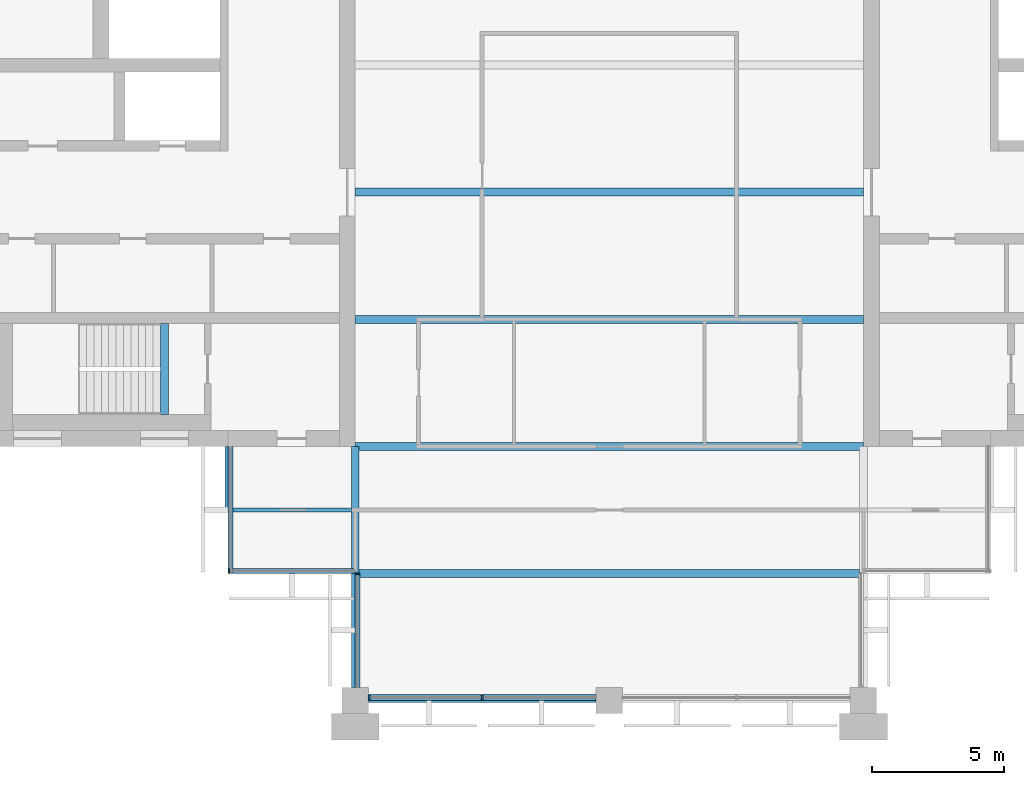
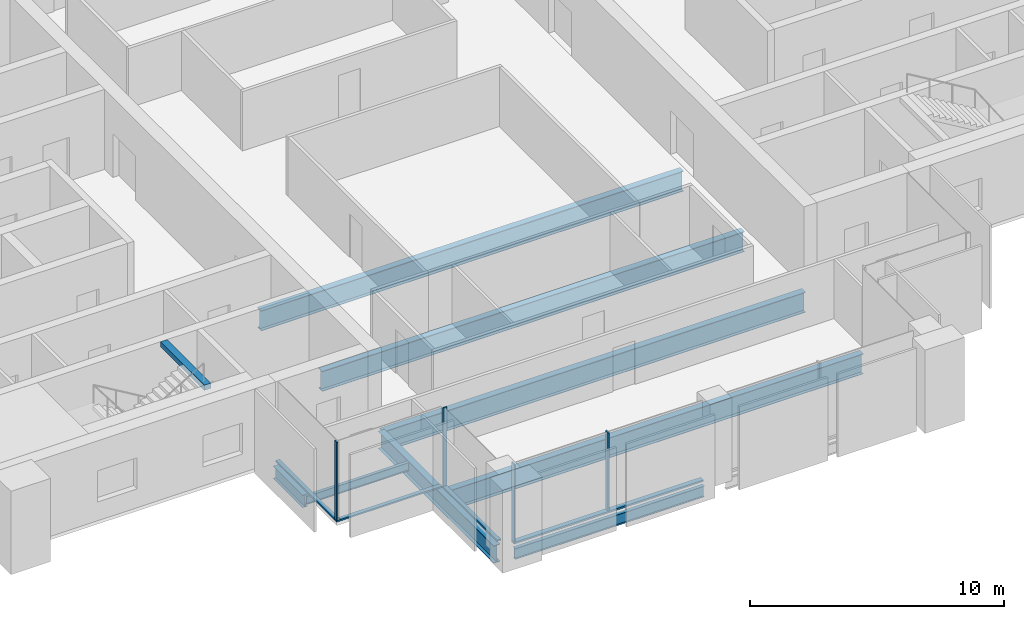
# One storey, part 2 of 12: 9 beams, 8 members, 4 elements without a shape of their own.
"""IFC4 building model written with IfcOpenShell, lengths in metres."""

from ifc_helpers import new_model, si_unit, direction, frame, origin, origin_2d, place, context, subcontext, project, spatial, rectangle, i_section, extrude, material, material_profile, profile_set, type_object, element, aggregate, save


model = new_model("IFC4")

# Units and contexts
model_context = context("Model", 3, precision=1e-05, world=origin(), true_north=direction((0.0, 1.0)))
body_context = subcontext(model_context, "Body", "Model", "MODEL_VIEW")
ifc_project = project(units=[si_unit("LENGTHUNIT", "METRE"), si_unit("AREAUNIT", "SQUARE_METRE"), si_unit("VOLUMEUNIT", "CUBIC_METRE"), si_unit("PLANEANGLEUNIT", "RADIAN"), si_unit("MASSUNIT", "GRAM", prefix="KILO")], contexts=[model_context])

# Site, building, storey
site_placement = place(None, origin())
site = spatial("IfcSite", under=ifc_project, at=site_placement, CompositionType="ELEMENT")
building_placement = place(site_placement, origin())
building = spatial("IfcBuilding", under=site, at=building_placement, Name="Baori Bourse Tower", CompositionType="ELEMENT")
storey_placement = place(building_placement, frame((0.0, 0.0, 286.300048828125)))
storey = spatial("IfcBuildingStorey", under=building, at=storey_placement, Name="L62", CompositionType="ELEMENT", Elevation=286.300048828125)

# Curtain wall, member
ifc_material_1 = material(Name="Pale anodised aluminium", Category="aluminium")
curtain_wall_type_1 = type_object("IfcCurtainWallType", Name="CW2 Curtain wall", PredefinedType="NOTDEFINED", material=ifc_material_1)
curtain_wall_1_placement = place(storey_placement, origin())
curtain_wall_1 = element("IfcCurtainWall", 1, at=curtain_wall_1_placement, inside=storey, type_object=curtain_wall_type_1, Name="Curtain wall CW2 L62 9", PredefinedType="NOTDEFINED")
ifc_material_2 = material(Name="Pale anodised aluminium", Category="aluminium")
ifc_material_profile_1 = material_profile(ifc_material_2, rectangle(XDim=0.179931640625, YDim=0.054931640625, at=origin_2d()), Name="Mullion 55x180")
ifc_profile_set_1 = profile_set([ifc_material_profile_1], Name="Pale anodised aluminium")
member_type_1 = type_object("IfcMemberType", Name="CW2 Curtain wall mullion", PredefinedType="MULLION", material=ifc_profile_set_1)
member_1_placement = place(storey_placement, frame((14.427490234375, 4.889892578125, 0.070068359375), z_axis=(0.0, 0.0, 1.0), x_axis=(0.0, 1.0, 0.0)))
member_1 = element("IfcMember", 2, at=member_1_placement, type_object=member_type_1, Name="Curtain wall CW2 mullion", PredefinedType="MULLION", context=body_context, shape_type="SweptSolid", body=[
    extrude(rectangle(XDim=0.179931640625, YDim=0.054931640625, at=origin_2d()), origin(), (0.0, 0.0, 1.0), 3.769775390625),
])

curtain_wall_2_placement = place(storey_placement, origin())
curtain_wall_2 = element("IfcCurtainWall", 3, at=curtain_wall_2_placement, inside=storey, type_object=curtain_wall_type_1, Name="Curtain wall CW2 L62 10", PredefinedType="NOTDEFINED")
member_2_placement = place(storey_placement, frame((19.2900390625, 4.7724609375, 0.070068359375), z_axis=(0.0, 0.0, 1.0), x_axis=(1.0, 0.0, 0.0)))
member_2 = element("IfcMember", 4, at=member_2_placement, type_object=member_type_1, Name="Curtain wall CW2 mullion", PredefinedType="MULLION", context=body_context, shape_type="SweptSolid", body=[
    extrude(rectangle(XDim=0.179931640625, YDim=0.054931640625, at=origin_2d()), origin(), (0.0, 0.0, 1.0), 3.769775390625),
])

curtain_wall_3_placement = place(storey_placement, origin())
curtain_wall_3 = element("IfcCurtainWall", 5, at=curtain_wall_3_placement, inside=storey, type_object=curtain_wall_type_1, Name="Curtain wall CW2 L62 8", PredefinedType="NOTDEFINED")
ifc_material_3 = material(Name="Pale anodised aluminium", Category="aluminium")
ifc_material_profile_2 = material_profile(ifc_material_3, rectangle(XDim=0.179931640625, YDim=0.070068359375, at=origin_2d()), Name="Transom 70x180")
ifc_profile_set_2 = profile_set([ifc_material_profile_2], Name="Pale anodised aluminium")
member_type_2 = type_object("IfcMemberType", Name="CW2 Curtain wall transom", PredefinedType="USERDEFINED", material=ifc_profile_set_2)
member_3_placement = place(storey_placement, frame((14.489990234375, 9.60009765625, 0.034912109375), z_axis=(0.0, -1.0, 0.0), x_axis=(1.0, 0.0, 0.0)))
member_3 = element("IfcMember", 6, at=member_3_placement, type_object=member_type_2, Name="Curtain wall CW2 sill rail", ObjectType="TRANSOM", PredefinedType="USERDEFINED", context=body_context, shape_type="SweptSolid", body=[
    extrude(rectangle(XDim=0.179931640625, YDim=0.070068359375, at=origin_2d()), origin(), (0.0, 0.0, 1.0), 4.800048828125),
])
aggregate(curtain_wall_3, [member_3])

# Member
member_4_placement = place(storey_placement, frame((14.39990234375, 4.889892578125, 0.034912109375), z_axis=(1.0, 0.0, 0.0), x_axis=(0.0, 1.0, 0.0)))
member_4 = element("IfcMember", 7, at=member_4_placement, type_object=member_type_2, Name="Curtain wall CW2 sill rail", ObjectType="TRANSOM", PredefinedType="USERDEFINED", context=body_context, shape_type="SweptSolid", body=[
    extrude(rectangle(XDim=0.179931640625, YDim=0.070068359375, at=origin_2d()), origin(), (0.0, 0.0, 1.0), 4.800048828125),
])

aggregate(curtain_wall_1, [member_4, member_1])

member_5_placement = place(storey_placement, frame((19.2900390625, 4.800048828125, 0.034912109375), z_axis=(0.0, -1.0, 0.0), x_axis=(1.0, 0.0, 0.0)))
member_5 = element("IfcMember", 8, at=member_5_placement, type_object=member_type_2, Name="Curtain wall CW2 sill rail", ObjectType="TRANSOM", PredefinedType="USERDEFINED", context=body_context, shape_type="SweptSolid", body=[
    extrude(rectangle(XDim=0.179931640625, YDim=0.070068359375, at=origin_2d()), origin(), (0.0, 0.0, 1.0), 4.300048828125),
])

aggregate(curtain_wall_2, [member_5, member_2])

# Curtain wall, members
ifc_material_4 = material(Name="Pale anodised aluminium", Category="aluminium")
curtain_wall_type_2 = type_object("IfcCurtainWallType", Name="CW5 Curtain wall", PredefinedType="NOTDEFINED", material=ifc_material_4)
curtain_wall_4_placement = place(storey_placement, origin())
curtain_wall_4 = element("IfcCurtainWall", 9, at=curtain_wall_4_placement, inside=storey, type_object=curtain_wall_type_2, Name="Curtain wall CW5 L62 11", PredefinedType="NOTDEFINED")
ifc_material_5 = material(Name="Pale anodised aluminium", Category="aluminium")
ifc_material_profile_3 = material_profile(ifc_material_5, rectangle(XDim=0.219970703125, YDim=0.06494140625, at=origin_2d()), Name="Mullion 65x220")
ifc_profile_set_3 = profile_set([ifc_material_profile_3], Name="Pale anodised aluminium")
member_type_3 = type_object("IfcMemberType", Name="CW5 Curtain wall mullion", PredefinedType="MULLION", material=ifc_profile_set_3)
member_6_placement = place(storey_placement, frame((19.732421875, 0.110107421875, 0.0849609375), z_axis=(0.0, 0.0, 1.0), x_axis=(0.0, 1.0, 0.0)))
member_6 = element("IfcMember", 10, at=member_6_placement, type_object=member_type_3, Name="Curtain wall CW5 mullion", PredefinedType="MULLION", context=body_context, shape_type="SweptSolid", body=[
    extrude(rectangle(XDim=0.219970703125, YDim=0.06494140625, at=origin_2d()), origin(), (0.0, 0.0, 1.0), 3.7548828125),
])
member_7_placement = place(storey_placement, frame((24.0, 0.110107421875, 0.0849609375), z_axis=(0.0, 0.0, 1.0), x_axis=(0.0, 1.0, 0.0)))
member_7 = element("IfcMember", 11, at=member_7_placement, type_object=member_type_3, Name="Curtain wall CW5 mullion", PredefinedType="MULLION", context=body_context, shape_type="SweptSolid", body=[
    extrude(rectangle(XDim=0.219970703125, YDim=0.06494140625, at=origin_2d()), origin(), (0.0, 0.0, 1.0), 3.7548828125),
])
ifc_material_6 = material(Name="Pale anodised aluminium", Category="aluminium")
ifc_material_profile_4 = material_profile(ifc_material_6, rectangle(XDim=0.219970703125, YDim=0.0849609375, at=origin_2d()), Name="Transom 85x220")
ifc_profile_set_4 = profile_set([ifc_material_profile_4], Name="Pale anodised aluminium")
member_type_4 = type_object("IfcMemberType", Name="CW5 Curtain wall transom", PredefinedType="USERDEFINED", material=ifc_profile_set_4)
member_8_placement = place(storey_placement, frame((19.699951171875, 0.110107421875, 0.04248046875), z_axis=(1.0, 0.0, 0.0), x_axis=(0.0, 1.0, 0.0)))
member_8 = element("IfcMember", 12, at=member_8_placement, type_object=member_type_4, Name="Curtain wall CW5 sill rail", ObjectType="TRANSOM", PredefinedType="USERDEFINED", context=body_context, shape_type="SweptSolid", body=[
    extrude(rectangle(XDim=0.219970703125, YDim=0.0849609375, at=origin_2d()), origin(), (0.0, 0.0, 1.0), 8.60009765625),
])
aggregate(curtain_wall_4, [member_8, member_6, member_7])

# Beams
ifc_material_7 = material(Name="Steel A992 Gr 50", Category="steel")
ifc_material_profile_5 = material_profile(ifc_material_7, i_section(OverallWidth=0.227783203125, OverallDepth=0.60205078125, WebThickness=0.010498046875, FlangeThickness=0.014892578125, at=origin_2d()), Name="W24x68")
ifc_profile_set_5 = profile_set([ifc_material_profile_5], Name="Steel A992 Gr 50")
beam_type_1 = type_object("IfcBeamType", Name="Core bracket W24x68", PredefinedType="BEAM", material=ifc_profile_set_5)
beam_1_placement = place(storey_placement, frame((14.39990234375, 7.270263671875, -0.4609375), z_axis=(0.0, 1.0, 0.0), x_axis=(-1.0, 0.0, 0.0)))
element("IfcBeam", 13, at=beam_1_placement, inside=storey, type_object=beam_type_1, Name="Core bracket L62", PredefinedType="BEAM", context=body_context, shape_type="SweptSolid", body=[
    extrude(i_section(OverallWidth=0.227783203125, OverallDepth=0.60205078125, WebThickness=0.010498046875, FlangeThickness=0.014892578125, at=origin_2d()), origin(), (0.0, 0.0, 1.0), 2.329833984375),
])
ifc_material_8 = material(Name="Steel A992 Gr 50", Category="steel")
ifc_material_profile_6 = material_profile(ifc_material_8, i_section(OverallWidth=0.1650390625, OverallDepth=0.52587890625, WebThickness=0.0087890625, FlangeThickness=0.011474609375, at=origin_2d()), Name="W21x44")
ifc_profile_set_6 = profile_set([ifc_material_profile_6], Name="Steel A992 Gr 50")
beam_type_2 = type_object("IfcBeamType", Name="Edge beam W21x44", PredefinedType="BEAM", material=ifc_profile_set_6)
beam_2_placement = place(storey_placement, frame((19.699951171875, 0.0, -0.4228515625), z_axis=(1.0, 0.0, 0.0), x_axis=(0.0, 1.0, 0.0)))
element("IfcBeam", 14, at=beam_2_placement, inside=storey, type_object=beam_type_2, Name="Edge beam L62", PredefinedType="BEAM", context=body_context, shape_type="SweptSolid", body=[
    extrude(i_section(OverallWidth=0.1650390625, OverallDepth=0.52587890625, WebThickness=0.0087890625, FlangeThickness=0.011474609375, at=origin_2d()), origin(), (0.0, 0.0, 1.0), 8.60009765625),
])
ifc_material_9 = material(Name="Steel A992 Gr 50", Category="steel")
ifc_material_profile_7 = material_profile(ifc_material_9, i_section(OverallWidth=0.2998046875, OverallDepth=0.97021484375, WebThickness=0.01611328125, FlangeThickness=0.02099609375, at=origin_2d()), Name="W40x149")
ifc_profile_set_7 = profile_set([ifc_material_profile_7], Name="Steel A992 Gr 50")
beam_type_3 = type_object("IfcBeamType", Name="Floor beam W40x149", PredefinedType="BEAM", material=ifc_profile_set_7)
beam_3_placement = place(storey_placement, frame((19.345947265625, 4.800048828125, -0.645263671875), z_axis=(1.0, 0.0, 0.0), x_axis=(0.0, 1.0, 0.0)))
element("IfcBeam", 15, at=beam_3_placement, inside=storey, type_object=beam_type_3, Name="Floor beam L62", PredefinedType="BEAM", context=body_context, shape_type="SweptSolid", body=[
    extrude(i_section(OverallWidth=0.2998046875, OverallDepth=0.97021484375, WebThickness=0.01611328125, FlangeThickness=0.02099609375, at=origin_2d()), origin(), (0.0, 0.0, 1.0), 18.907958984375),
])
for number, where, z_axis, x_axis, name in (
    (16, (19.199951171875, 9.60009765625, -0.645263671875), (1.0, 0.0, 0.0), (0.0, 1.0, 0.0), "Floor beam L62"),
    (17, (19.199951171875, 14.39990234375, -0.645263671875), (1.0, 0.0, 0.0), (0.0, 1.0, 0.0), "Floor beam L62"),
    (18, (19.199951171875, 19.199951171875, -0.645263671875), (1.0, 0.0, 0.0), (0.0, 1.0, 0.0), "Floor beam L62"),
):
    element("IfcBeam", number, at=place(storey_placement, frame(where, z_axis=z_axis, x_axis=x_axis)), inside=storey, type_object=beam_type_3, Name=name, PredefinedType="BEAM", context=body_context, shape_type="SweptSolid", body=[
        extrude(i_section(OverallWidth=0.2998046875, OverallDepth=0.97021484375, WebThickness=0.01611328125, FlangeThickness=0.02099609375, at=origin_2d()), origin(), (0.0, 0.0, 1.0), 19.199951171875),
    ])
ifc_material_10 = material(Name="Steel A992 Gr 50", Category="steel")
ifc_material_profile_8 = material_profile(ifc_material_10, i_section(OverallWidth=0.2919921875, OverallDepth=0.835693359375, WebThickness=0.013916015625, FlangeThickness=0.018798828125, at=origin_2d()), Name="W33x118")
ifc_profile_set_8 = profile_set([ifc_material_profile_8], Name="Steel A992 Gr 50")
beam_type_4 = type_object("IfcBeamType", Name="Girder W33x118", PredefinedType="BEAM", material=ifc_profile_set_8)
beam_4_placement = place(storey_placement, frame((19.199951171875, 0.5, -0.577880859375), z_axis=(0.0, 1.0, 0.0), x_axis=(-1.0, 0.0, 0.0)))
element("IfcBeam", 19, at=beam_4_placement, inside=storey, type_object=beam_type_4, Name="Girder L62", PredefinedType="BEAM", context=body_context, shape_type="SweptSolid", body=[
    extrude(i_section(OverallWidth=0.2919921875, OverallDepth=0.835693359375, WebThickness=0.013916015625, FlangeThickness=0.018798828125, at=origin_2d()), origin(), (0.0, 0.0, 1.0), 9.10009765625),
])
ifc_material_11 = material(Name="Concrete f'c 50 MPa", Category="concrete")
ifc_material_profile_9 = material_profile(ifc_material_11, rectangle(XDim=0.300048828125, YDim=0.25, at=origin_2d()), Name="RC 300x250")
ifc_profile_set_9 = profile_set([ifc_material_profile_9], Name="Concrete f'c 50 MPa")
beam_type_5 = type_object("IfcBeamType", Name="Stair nib beam RC 300x250", PredefinedType="BEAM", material=ifc_profile_set_9)
beam_5_placement = place(storey_placement, frame((12.0, 10.800048828125, 3.71484375), z_axis=(0.0, 1.0, 0.0), x_axis=(-1.0, 0.0, 0.0)))
element("IfcBeam", 20, at=beam_5_placement, inside=storey, type_object=beam_type_5, Name="Stair WA nib beam L63", PredefinedType="BEAM", context=body_context, shape_type="SweptSolid", body=[
    extrude(rectangle(XDim=0.300048828125, YDim=0.25, at=origin_2d()), origin(), (0.0, 0.0, 1.0), 3.449951171875),
])
ifc_material_12 = material(Name="Steel A992 Gr 50", Category="steel")
ifc_material_profile_10 = material_profile(ifc_material_12, i_section(OverallWidth=0.140380859375, OverallDepth=0.40380859375, WebThickness=0.007080078125, FlangeThickness=0.01123046875, at=origin_2d()), Name="W16x31")
ifc_profile_set_10 = profile_set([ifc_material_profile_10], Name="Steel A992 Gr 50")
beam_type_6 = type_object("IfcBeamType", Name="Trimmer beam W16x31", PredefinedType="BEAM", material=ifc_profile_set_10)
beam_6_placement = place(storey_placement, frame((14.39990234375, 7.199951171875, -0.362060546875), z_axis=(1.0, 0.0, 0.0), x_axis=(0.0, 1.0, 0.0)))
element("IfcBeam", 21, at=beam_6_placement, inside=storey, type_object=beam_type_6, Name="Trimmer beam L62", PredefinedType="BEAM", context=body_context, shape_type="SweptSolid", body=[
    extrude(i_section(OverallWidth=0.140380859375, OverallDepth=0.40380859375, WebThickness=0.007080078125, FlangeThickness=0.01123046875, at=origin_2d()), origin(), (0.0, 0.0, 1.0), 4.654052734375),
])

save(model, "model.ifc")
